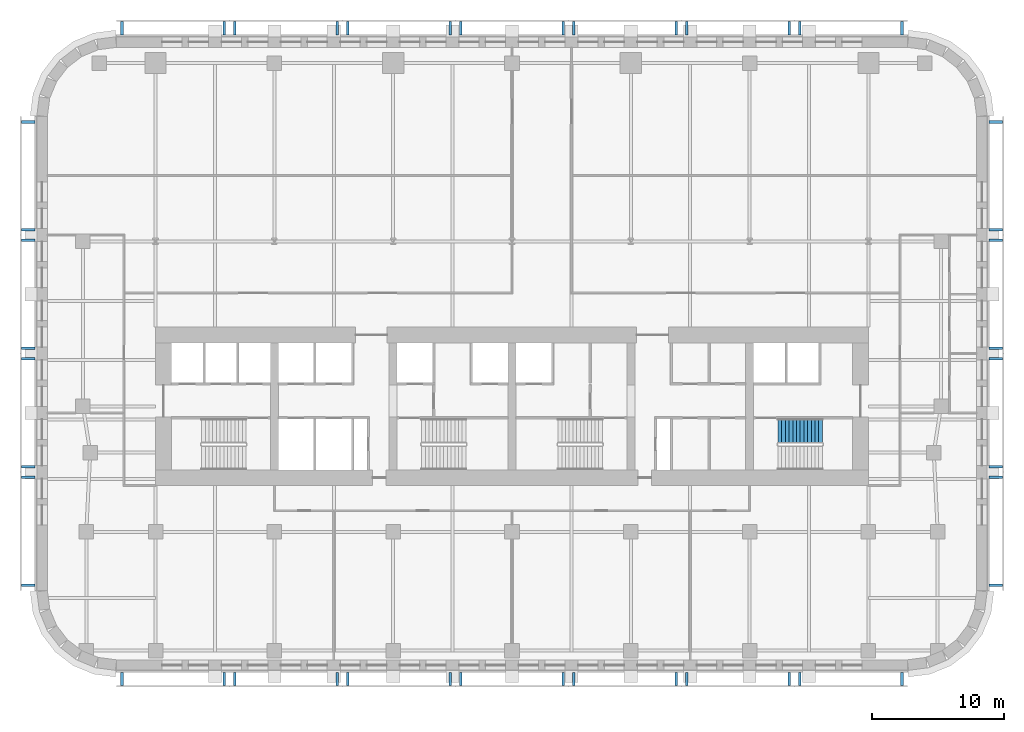
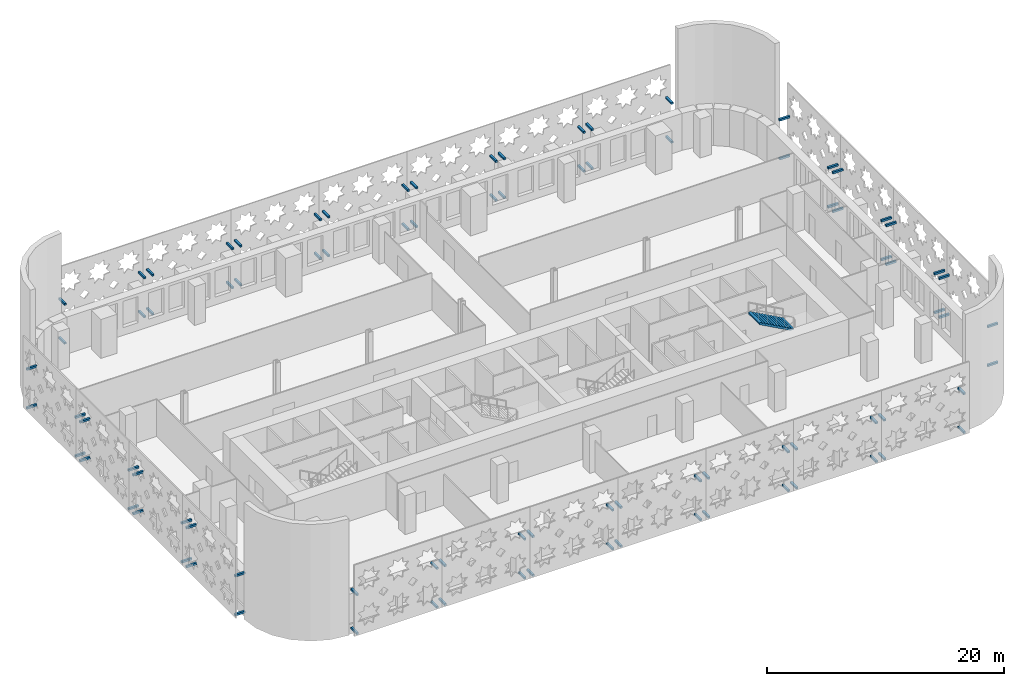
# One storey, part 10 of 15: 88 discrete accessories, 1 stair flight, 1 element without a shape of its own.
"""IFC4 building model written with IfcOpenShell, lengths in metres."""

from ifc_helpers import new_model, si_unit, direction, frame, origin, origin_2d, place, context, subcontext, project, spatial, polyline, rectangle, outline, extrude, material, type_object, element, aggregate, save


model = new_model("IFC4")

# Units and contexts
model_context = context("Model", 3, precision=1e-05, world=origin(), true_north=direction((0.0, 1.0)))
body_context = subcontext(model_context, "Body", "Model", "MODEL_VIEW")
ifc_project = project(units=[si_unit("LENGTHUNIT", "METRE"), si_unit("AREAUNIT", "SQUARE_METRE"), si_unit("VOLUMEUNIT", "CUBIC_METRE"), si_unit("PLANEANGLEUNIT", "RADIAN"), si_unit("MASSUNIT", "GRAM", prefix="KILO")], contexts=[model_context])

# Site, building, storey
site_placement = place(None, origin())
site = spatial("IfcSite", under=ifc_project, at=site_placement, CompositionType="ELEMENT")
building_placement = place(site_placement, origin())
building = spatial("IfcBuilding", under=site, at=building_placement, Name="Zellij Exchange Tower", CompositionType="ELEMENT")
storey_placement = place(building_placement, frame((0.0, 0.0, 76.5)))
storey = spatial("IfcBuildingStorey", under=building, at=storey_placement, Name="L15", CompositionType="ELEMENT", Elevation=76.5)

# Stair, stair flight
ifc_material_1 = material(Name="Concrete C40/50", Category="concrete")
stair_type = type_object("IfcStairType", Name="CORE-ST exit stair 1850 wide", PredefinedType="HALF_TURN_STAIR", material=ifc_material_1)
stair_placement = place(storey_placement, origin())
stair = element("IfcStair", 1, at=stair_placement, inside=storey, type_object=stair_type, Name="L15 exit stair ST4", PredefinedType="HALF_TURN_STAIR")
stair_flight_type = type_object("IfcStairFlightType", Name="CORE-SF flight 1850 riser 153.8 going 280", PredefinedType="STRAIGHT", material=ifc_material_1)
stair_flight_placement = place(storey_placement, frame((23.510009765625, -9.875, 2.0), z_axis=(0.0, 0.0, 1.0), x_axis=(-1.0, 0.0, 0.0)))
stair_flight = element("IfcStairFlight", 2, at=stair_flight_placement, type_object=stair_flight_type, Name="ST4 flight 2", NumberOfRisers=13, NumberOfTreads=12, PredefinedType="STRAIGHT", RiserHeight=0.153846154, TreadLength=0.28, context=body_context, shape_type="SweptSolid", body=[
    extrude(outline(polyline([(0.0, 0.0), (0.0, 0.15380859375), (0.280029296875, 0.15380859375), (0.280029296875, 0.3076171875), (0.56005859375, 0.3076171875), (0.56005859375, 0.46142578125), (0.840087890625, 0.46142578125), (0.840087890625, 0.615478515625), (1.1201171875, 0.615478515625), (1.1201171875, 0.769287109375), (1.39990234375, 0.769287109375), (1.39990234375, 0.923095703125), (1.679931640625, 0.923095703125), (1.679931640625, 1.076904296875), (1.9599609375, 1.076904296875), (1.9599609375, 1.230712890625), (2.239990234375, 1.230712890625), (2.239990234375, 1.384521484375), (2.52001953125, 1.384521484375), (2.52001953125, 1.53857421875), (2.800048828125, 1.53857421875), (2.800048828125, 1.6923828125), (3.080078125, 1.6923828125), (3.080078125, 1.84619140625), (3.360107421875, 1.84619140625), (3.360107421875, 2.0), (3.360107421875, 1.675048828125), (0.311279296875, 0.0), (0.0, 0.0)])), frame((0.0, 0.925048828125, 0.0), z_axis=(0.0, -1.0, 0.0), x_axis=(1.0, 0.0, 0.0)), (0.0, 0.0, 1.0), 1.85009765625),
])
aggregate(stair, [stair_flight])

# Discrete accessories
ifc_material_2 = material(Name="Stainless steel", Category="steel")
discrete_accessory_type = type_object("IfcDiscreteAccessoryType", Name="ENV-BR1 Stone panel bracket 200", PredefinedType="USERDEFINED", material=ifc_material_2)
for number, where, z_axis, x_axis, name in (
    (3, (-36.64990234375, 13.547607421875, 0.2998046875), (0.0, 0.0, 1.0), (0.0, -1.0, 0.0), "Panel bracket"),
    (4, (-36.64990234375, 5.373779296875, 0.2998046875), (0.0, 0.0, 1.0), (0.0, -1.0, 0.0), "Panel bracket"),
    (5, (-36.64990234375, 13.547607421875, 4.2998046875), (0.0, 0.0, 1.0), (0.0, -1.0, 0.0), "Panel bracket"),
    (6, (-36.64990234375, 5.373779296875, 4.2998046875), (0.0, 0.0, 1.0), (0.0, -1.0, 0.0), "Panel bracket"),
    (7, (-36.64990234375, 4.57373046875, 0.2998046875), (0.0, 0.0, 1.0), (0.0, -1.0, 0.0), "Panel bracket"),
    (8, (-36.64990234375, -3.60009765625, 0.2998046875), (0.0, 0.0, 1.0), (0.0, -1.0, 0.0), "Panel bracket"),
    (9, (-36.64990234375, 4.57373046875, 4.2998046875), (0.0, 0.0, 1.0), (0.0, -1.0, 0.0), "Panel bracket"),
    (10, (-36.64990234375, -3.60009765625, 4.2998046875), (0.0, 0.0, 1.0), (0.0, -1.0, 0.0), "Panel bracket"),
    (11, (-36.64990234375, -4.39990234375, 0.2998046875), (0.0, 0.0, 1.0), (0.0, -1.0, 0.0), "Panel bracket"),
    (12, (-36.64990234375, -12.57373046875, 0.2998046875), (0.0, 0.0, 1.0), (0.0, -1.0, 0.0), "Panel bracket"),
    (13, (-36.64990234375, -4.39990234375, 4.2998046875), (0.0, 0.0, 1.0), (0.0, -1.0, 0.0), "Panel bracket"),
    (14, (-36.64990234375, -12.57373046875, 4.2998046875), (0.0, 0.0, 1.0), (0.0, -1.0, 0.0), "Panel bracket"),
    (15, (-36.64990234375, -13.373779296875, 0.2998046875), (0.0, 0.0, 1.0), (0.0, -1.0, 0.0), "Panel bracket"),
    (16, (-36.64990234375, -21.547607421875, 0.2998046875), (0.0, 0.0, 1.0), (0.0, -1.0, 0.0), "Panel bracket"),
    (17, (-36.64990234375, -13.373779296875, 4.2998046875), (0.0, 0.0, 1.0), (0.0, -1.0, 0.0), "Panel bracket"),
    (18, (-36.64990234375, -21.547607421875, 4.2998046875), (0.0, 0.0, 1.0), (0.0, -1.0, 0.0), "Panel bracket"),
    (19, (-29.547607421875, -28.64990234375, 0.2998046875), (0.0, 0.0, 1.0), (1.0, 0.0, 0.0), "Panel bracket"),
    (20, (-21.791015625, -28.64990234375, 0.2998046875), (0.0, 0.0, 1.0), (1.0, 0.0, 0.0), "Panel bracket"),
    (21, (-29.547607421875, -28.64990234375, 4.2998046875), (0.0, 0.0, 1.0), (1.0, 0.0, 0.0), "Panel bracket"),
    (22, (-21.791015625, -28.64990234375, 4.2998046875), (0.0, 0.0, 1.0), (1.0, 0.0, 0.0), "Panel bracket"),
    (23, (-20.9912109375, -28.64990234375, 0.2998046875), (0.0, 0.0, 1.0), (1.0, 0.0, 0.0), "Panel bracket"),
    (24, (-13.234619140625, -28.64990234375, 0.2998046875), (0.0, 0.0, 1.0), (1.0, 0.0, 0.0), "Panel bracket"),
    (25, (-20.9912109375, -28.64990234375, 4.2998046875), (0.0, 0.0, 1.0), (1.0, 0.0, 0.0), "Panel bracket"),
    (26, (-13.234619140625, -28.64990234375, 4.2998046875), (0.0, 0.0, 1.0), (1.0, 0.0, 0.0), "Panel bracket"),
    (27, (-12.434814453125, -28.64990234375, 0.2998046875), (0.0, 0.0, 1.0), (1.0, 0.0, 0.0), "Panel bracket"),
    (28, (-4.67822265625, -28.64990234375, 0.2998046875), (0.0, 0.0, 1.0), (1.0, 0.0, 0.0), "Panel bracket"),
    (29, (-12.434814453125, -28.64990234375, 4.2998046875), (0.0, 0.0, 1.0), (1.0, 0.0, 0.0), "Panel bracket"),
    (30, (-4.67822265625, -28.64990234375, 4.2998046875), (0.0, 0.0, 1.0), (1.0, 0.0, 0.0), "Panel bracket"),
    (31, (-3.878173828125, -28.64990234375, 0.2998046875), (0.0, 0.0, 1.0), (1.0, 0.0, 0.0), "Panel bracket"),
    (32, (3.878173828125, -28.64990234375, 0.2998046875), (0.0, 0.0, 1.0), (1.0, 0.0, 0.0), "Panel bracket"),
    (33, (-3.878173828125, -28.64990234375, 4.2998046875), (0.0, 0.0, 1.0), (1.0, 0.0, 0.0), "Panel bracket"),
    (34, (3.878173828125, -28.64990234375, 4.2998046875), (0.0, 0.0, 1.0), (1.0, 0.0, 0.0), "Panel bracket"),
    (35, (4.67822265625, -28.64990234375, 0.2998046875), (0.0, 0.0, 1.0), (1.0, 0.0, 0.0), "Panel bracket"),
    (36, (12.434814453125, -28.64990234375, 0.2998046875), (0.0, 0.0, 1.0), (1.0, 0.0, 0.0), "Panel bracket"),
    (37, (4.67822265625, -28.64990234375, 4.2998046875), (0.0, 0.0, 1.0), (1.0, 0.0, 0.0), "Panel bracket"),
    (38, (12.434814453125, -28.64990234375, 4.2998046875), (0.0, 0.0, 1.0), (1.0, 0.0, 0.0), "Panel bracket"),
    (39, (13.234619140625, -28.64990234375, 0.2998046875), (0.0, 0.0, 1.0), (1.0, 0.0, 0.0), "Panel bracket"),
    (40, (20.9912109375, -28.64990234375, 0.2998046875), (0.0, 0.0, 1.0), (1.0, 0.0, 0.0), "Panel bracket"),
    (41, (13.234619140625, -28.64990234375, 4.2998046875), (0.0, 0.0, 1.0), (1.0, 0.0, 0.0), "Panel bracket"),
    (42, (20.9912109375, -28.64990234375, 4.2998046875), (0.0, 0.0, 1.0), (1.0, 0.0, 0.0), "Panel bracket"),
    (43, (21.791015625, -28.64990234375, 0.2998046875), (0.0, 0.0, 1.0), (1.0, 0.0, 0.0), "Panel bracket"),
    (44, (29.547607421875, -28.64990234375, 0.2998046875), (0.0, 0.0, 1.0), (1.0, 0.0, 0.0), "Panel bracket"),
    (45, (21.791015625, -28.64990234375, 4.2998046875), (0.0, 0.0, 1.0), (1.0, 0.0, 0.0), "Panel bracket"),
    (46, (29.547607421875, -28.64990234375, 4.2998046875), (0.0, 0.0, 1.0), (1.0, 0.0, 0.0), "Panel bracket"),
    (47, (29.547607421875, 20.64990234375, 0.2998046875), (0.0, 0.0, 1.0), (-1.0, 0.0, 0.0), "Panel bracket"),
    (48, (21.791015625, 20.64990234375, 0.2998046875), (0.0, 0.0, 1.0), (-1.0, 0.0, 0.0), "Panel bracket"),
    (49, (29.547607421875, 20.64990234375, 4.2998046875), (0.0, 0.0, 1.0), (-1.0, 0.0, 0.0), "Panel bracket"),
    (50, (21.791015625, 20.64990234375, 4.2998046875), (0.0, 0.0, 1.0), (-1.0, 0.0, 0.0), "Panel bracket"),
    (51, (20.9912109375, 20.64990234375, 0.2998046875), (0.0, 0.0, 1.0), (-1.0, 0.0, 0.0), "Panel bracket"),
    (52, (13.234619140625, 20.64990234375, 0.2998046875), (0.0, 0.0, 1.0), (-1.0, 0.0, 0.0), "Panel bracket"),
    (53, (20.9912109375, 20.64990234375, 4.2998046875), (0.0, 0.0, 1.0), (-1.0, 0.0, 0.0), "Panel bracket"),
    (54, (13.234619140625, 20.64990234375, 4.2998046875), (0.0, 0.0, 1.0), (-1.0, 0.0, 0.0), "Panel bracket"),
    (55, (12.434814453125, 20.64990234375, 0.2998046875), (0.0, 0.0, 1.0), (-1.0, 0.0, 0.0), "Panel bracket"),
    (56, (4.67822265625, 20.64990234375, 0.2998046875), (0.0, 0.0, 1.0), (-1.0, 0.0, 0.0), "Panel bracket"),
    (57, (12.434814453125, 20.64990234375, 4.2998046875), (0.0, 0.0, 1.0), (-1.0, 0.0, 0.0), "Panel bracket"),
    (58, (4.67822265625, 20.64990234375, 4.2998046875), (0.0, 0.0, 1.0), (-1.0, 0.0, 0.0), "Panel bracket"),
    (59, (3.878173828125, 20.64990234375, 0.2998046875), (0.0, 0.0, 1.0), (-1.0, 0.0, 0.0), "Panel bracket"),
    (60, (-3.878173828125, 20.64990234375, 0.2998046875), (0.0, 0.0, 1.0), (-1.0, 0.0, 0.0), "Panel bracket"),
    (61, (3.878173828125, 20.64990234375, 4.2998046875), (0.0, 0.0, 1.0), (-1.0, 0.0, 0.0), "Panel bracket"),
    (62, (-3.878173828125, 20.64990234375, 4.2998046875), (0.0, 0.0, 1.0), (-1.0, 0.0, 0.0), "Panel bracket"),
    (63, (-4.67822265625, 20.64990234375, 0.2998046875), (0.0, 0.0, 1.0), (-1.0, 0.0, 0.0), "Panel bracket"),
    (64, (-12.434814453125, 20.64990234375, 0.2998046875), (0.0, 0.0, 1.0), (-1.0, 0.0, 0.0), "Panel bracket"),
    (65, (-4.67822265625, 20.64990234375, 4.2998046875), (0.0, 0.0, 1.0), (-1.0, 0.0, 0.0), "Panel bracket"),
    (66, (-12.434814453125, 20.64990234375, 4.2998046875), (0.0, 0.0, 1.0), (-1.0, 0.0, 0.0), "Panel bracket"),
    (67, (-13.234619140625, 20.64990234375, 0.2998046875), (0.0, 0.0, 1.0), (-1.0, 0.0, 0.0), "Panel bracket"),
    (68, (-20.9912109375, 20.64990234375, 0.2998046875), (0.0, 0.0, 1.0), (-1.0, 0.0, 0.0), "Panel bracket"),
    (69, (-13.234619140625, 20.64990234375, 4.2998046875), (0.0, 0.0, 1.0), (-1.0, 0.0, 0.0), "Panel bracket"),
    (70, (-20.9912109375, 20.64990234375, 4.2998046875), (0.0, 0.0, 1.0), (-1.0, 0.0, 0.0), "Panel bracket"),
    (71, (-21.791015625, 20.64990234375, 0.2998046875), (0.0, 0.0, 1.0), (-1.0, 0.0, 0.0), "Panel bracket"),
    (72, (-29.547607421875, 20.64990234375, 0.2998046875), (0.0, 0.0, 1.0), (-1.0, 0.0, 0.0), "Panel bracket"),
    (73, (-21.791015625, 20.64990234375, 4.2998046875), (0.0, 0.0, 1.0), (-1.0, 0.0, 0.0), "Panel bracket"),
    (74, (-29.547607421875, 20.64990234375, 4.2998046875), (0.0, 0.0, 1.0), (-1.0, 0.0, 0.0), "Panel bracket"),
    (75, (36.64990234375, -21.547607421875, 0.2998046875), (0.0, 0.0, 1.0), (0.0, 1.0, 0.0), "Panel bracket"),
    (76, (36.64990234375, -13.373779296875, 0.2998046875), (0.0, 0.0, 1.0), (0.0, 1.0, 0.0), "Panel bracket"),
    (77, (36.64990234375, -21.547607421875, 4.2998046875), (0.0, 0.0, 1.0), (0.0, 1.0, 0.0), "Panel bracket"),
    (78, (36.64990234375, -13.373779296875, 4.2998046875), (0.0, 0.0, 1.0), (0.0, 1.0, 0.0), "Panel bracket"),
    (79, (36.64990234375, -12.57373046875, 0.2998046875), (0.0, 0.0, 1.0), (0.0, 1.0, 0.0), "Panel bracket"),
    (80, (36.64990234375, -4.39990234375, 0.2998046875), (0.0, 0.0, 1.0), (0.0, 1.0, 0.0), "Panel bracket"),
    (81, (36.64990234375, -12.57373046875, 4.2998046875), (0.0, 0.0, 1.0), (0.0, 1.0, 0.0), "Panel bracket"),
    (82, (36.64990234375, -4.39990234375, 4.2998046875), (0.0, 0.0, 1.0), (0.0, 1.0, 0.0), "Panel bracket"),
    (83, (36.64990234375, -3.60009765625, 0.2998046875), (0.0, 0.0, 1.0), (0.0, 1.0, 0.0), "Panel bracket"),
    (84, (36.64990234375, 4.57373046875, 0.2998046875), (0.0, 0.0, 1.0), (0.0, 1.0, 0.0), "Panel bracket"),
    (85, (36.64990234375, -3.60009765625, 4.2998046875), (0.0, 0.0, 1.0), (0.0, 1.0, 0.0), "Panel bracket"),
    (86, (36.64990234375, 4.57373046875, 4.2998046875), (0.0, 0.0, 1.0), (0.0, 1.0, 0.0), "Panel bracket"),
    (87, (36.64990234375, 5.373779296875, 0.2998046875), (0.0, 0.0, 1.0), (0.0, 1.0, 0.0), "Panel bracket"),
    (88, (36.64990234375, 13.547607421875, 0.2998046875), (0.0, 0.0, 1.0), (0.0, 1.0, 0.0), "Panel bracket"),
    (89, (36.64990234375, 5.373779296875, 4.2998046875), (0.0, 0.0, 1.0), (0.0, 1.0, 0.0), "Panel bracket"),
    (90, (36.64990234375, 13.547607421875, 4.2998046875), (0.0, 0.0, 1.0), (0.0, 1.0, 0.0), "Panel bracket"),
):
    element("IfcDiscreteAccessory", number, at=place(storey_placement, frame(where, z_axis=z_axis, x_axis=x_axis)), inside=storey, type_object=discrete_accessory_type, Name=name, ObjectType="BRACKET", PredefinedType="USERDEFINED", context=body_context, shape_type="SweptSolid", body=[
        extrude(rectangle(XDim=0.199951171875, YDim=1.0, at=origin_2d()), origin(), (0.0, 0.0, 1.0), 0.199951171875),
    ])

save(model, "model.ifc")
